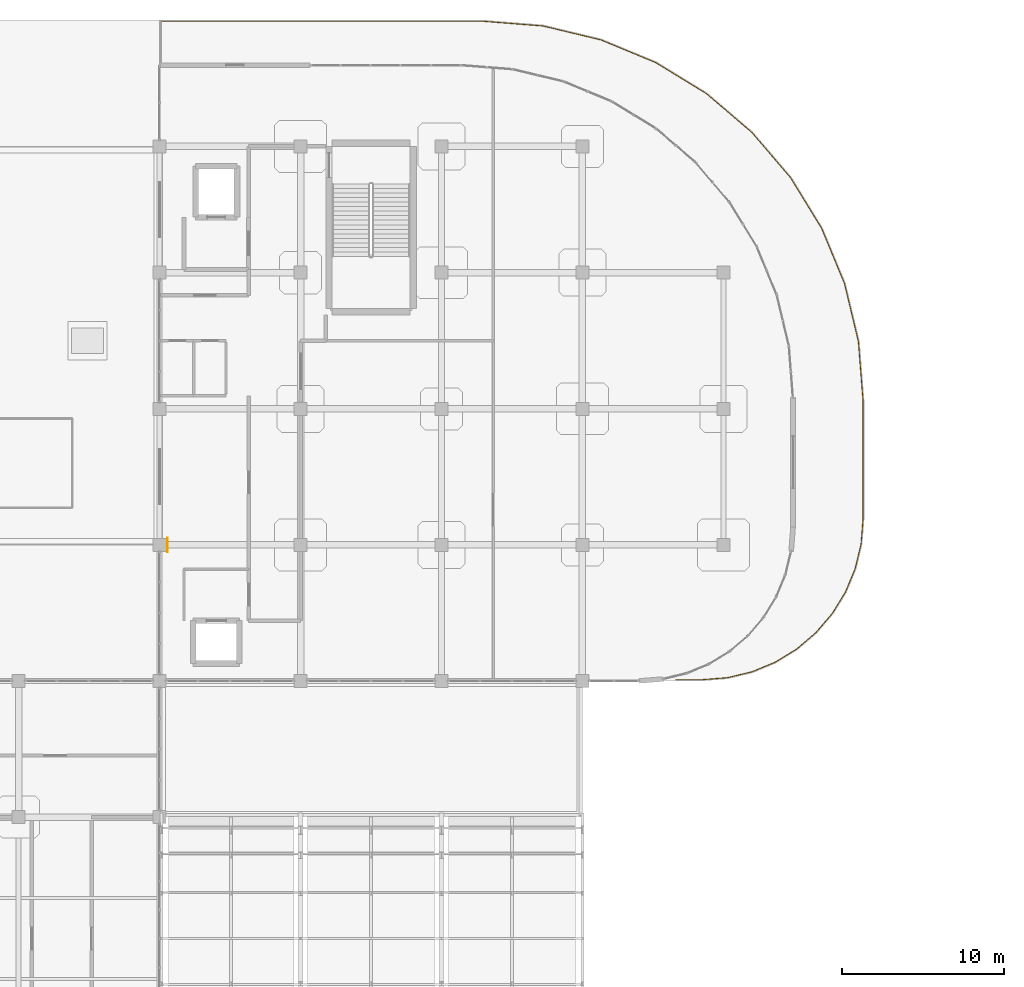
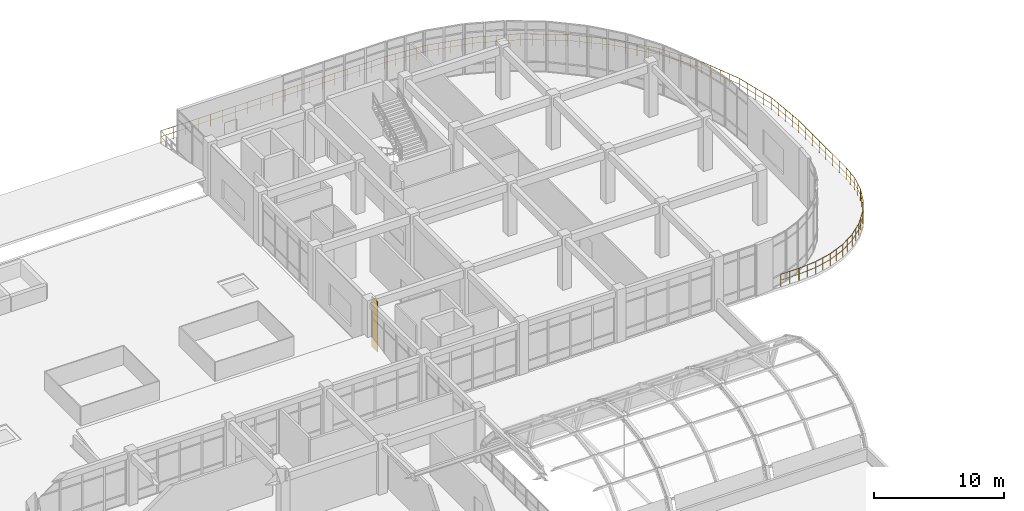
# One storey, part 121 of 124: 1 covering, 1 railing.
"""IFC4 building model written with IfcOpenShell, lengths in metres."""

from ifc_helpers import new_model, si_unit, derived_unit, direction, frame, origin, origin_2d, place, context, subcontext, project, spatial, rectangle, circle, extrude, material, layer, layer_set, type_object, element, save


model = new_model("IFC4")

# Units and contexts
model_context = context("Model", 3, precision=1e-05, world=origin(), true_north=direction((0.0, 1.0)))
body_context = subcontext(model_context, "Body", "Model", "MODEL_VIEW")
ifc_project = project(units=[si_unit("LENGTHUNIT", "METRE"), si_unit("AREAUNIT", "SQUARE_METRE"), si_unit("VOLUMEUNIT", "CUBIC_METRE"), si_unit("PLANEANGLEUNIT", "RADIAN"), si_unit("MASSUNIT", "GRAM", prefix="KILO"), derived_unit("THERMALTRANSMITTANCEUNIT", [(si_unit("MASSUNIT", "GRAM", prefix="KILO"), 1), (si_unit("TIMEUNIT", "SECOND"), -3), (si_unit("THERMODYNAMICTEMPERATUREUNIT", "KELVIN"), -1)])], contexts=[model_context])

# Site, building, storey
site_placement = place(None, origin())
site = spatial("IfcSite", under=ifc_project, at=site_placement, CompositionType="ELEMENT")
building_placement = place(site_placement, origin())
building = spatial("IfcBuilding", under=site, at=building_placement, Name="Qinzheling Arcade Emporium", CompositionType="ELEMENT")
storey_placement = place(building_placement, frame((0.0, 0.0, 16.5)))
storey = spatial("IfcBuildingStorey", under=building, at=storey_placement, Name="L04", CompositionType="ELEMENT", Elevation=16.5)

# Railing
ifc_material_1 = material(Name="Architectural bronze rail and laminated safety glass", Category="glass")
railing_type = type_object("IfcRailingType", Name="Curved Terrace Laminated Glass and Bronze Balustrade 1150", PredefinedType="BALUSTRADE", material=ifc_material_1)
railing_placement = place(storey_placement, frame((104.47998046875, 114.52001953125, 0.0)))
element("IfcRailing", 1, at=railing_placement, inside=storey, type_object=railing_type, Name="Terrace Balustrade RLG-TER-L04-006", PredefinedType="BALUSTRADE", context=body_context, shape_type="SweptSolid", body=[
    extrude(circle(Radius=0.02392578125, at=origin_2d()), frame((0.0, 0.0, 1.1259765625), z_axis=(1.0, 0.0, 0.0), x_axis=(0.0, 1.0, 0.0)), (0.0, 0.0, 1.0), 19.9169921875),
    extrude(circle(Radius=0.01611328125, at=origin_2d()), frame((0.0, 0.0, 0.574951171875), z_axis=(1.0, 0.0, 0.0), x_axis=(0.0, 1.0, 0.0)), (0.0, 0.0, 1.0), 19.9169921875),
    extrude(circle(Radius=0.02392578125, at=origin_2d()), frame((19.9169921875, 0.0, 1.1259765625), z_axis=(0.996926595249, -0.078341328076, 0.0), x_axis=(0.078341328076, 0.996926595249, 0.0)), (0.0, 0.0, 1.0), 3.67724609375),
    extrude(circle(Radius=0.01611328125, at=origin_2d()), frame((19.9169921875, 0.0, 0.574951171875), z_axis=(0.996926595249, -0.078341328076, 0.0), x_axis=(0.078341328076, 0.996926595249, 0.0)), (0.0, 0.0, 1.0), 3.67724609375),
    extrude(circle(Radius=0.02392578125, at=origin_2d()), frame((23.5830078125, -0.2880859375, 1.1259765625), z_axis=(0.972377654126, -0.233413148207, 0.0), x_axis=(0.233413148207, 0.972377654126, 0.0)), (0.0, 0.0, 1.0), 3.675537109375),
    extrude(circle(Radius=0.01611328125, at=origin_2d()), frame((23.5830078125, -0.2880859375, 0.574951171875), z_axis=(0.972377654126, -0.233413148207, 0.0), x_axis=(0.233413148207, 0.972377654126, 0.0)), (0.0, 0.0, 1.0), 3.675537109375),
    extrude(circle(Radius=0.02392578125, at=origin_2d()), frame((27.156982421875, -1.14599609375, 1.1259765625), z_axis=(0.923849253589, -0.382756523971, 0.0), x_axis=(0.382756523971, 0.923849253589, 0.0)), (0.0, 0.0, 1.0), 3.676025390625),
    extrude(circle(Radius=0.01611328125, at=origin_2d()), frame((27.156982421875, -1.14599609375, 0.574951171875), z_axis=(0.923849253589, -0.382756523971, 0.0), x_axis=(0.382756523971, 0.923849253589, 0.0)), (0.0, 0.0, 1.0), 3.676025390625),
    extrude(circle(Radius=0.02392578125, at=origin_2d()), frame((30.552978515625, -2.552978515625, 1.1259765625), z_axis=(0.852642310757, -0.522495062089, 0.0), x_axis=(0.522495062089, 0.852642310757, 0.0)), (0.0, 0.0, 1.0), 3.674560546875),
    extrude(circle(Radius=0.01611328125, at=origin_2d()), frame((30.552978515625, -2.552978515625, 0.574951171875), z_axis=(0.852642310757, -0.522495062089, 0.0), x_axis=(0.522495062089, 0.852642310757, 0.0)), (0.0, 0.0, 1.0), 3.674560546875),
    extrude(circle(Radius=0.02392578125, at=origin_2d()), frame((33.68603515625, -4.472900390625, 1.1259765625), z_axis=(0.76027797739, -0.649597873377, 0.0), x_axis=(0.649597873377, 0.76027797739, 0.0)), (0.0, 0.0, 1.0), 3.6748046875),
    extrude(circle(Radius=0.01611328125, at=origin_2d()), frame((33.68603515625, -4.472900390625, 0.574951171875), z_axis=(0.76027797739, -0.649597873377, 0.0), x_axis=(0.649597873377, 0.76027797739, 0.0)), (0.0, 0.0, 1.0), 3.6748046875),
    extrude(circle(Radius=0.02392578125, at=origin_2d()), frame((36.47998046875, -6.860107421875, 1.1259765625), z_axis=(0.649559470169, -0.760310788239, 0.0), x_axis=(0.760310788239, 0.649559470169, 0.0)), (0.0, 0.0, 1.0), 3.6748046875),
    extrude(circle(Radius=0.01611328125, at=origin_2d()), frame((36.47998046875, -6.860107421875, 0.574951171875), z_axis=(0.649559470169, -0.760310788239, 0.0), x_axis=(0.760310788239, 0.649559470169, 0.0)), (0.0, 0.0, 1.0), 3.6748046875),
    extrude(circle(Radius=0.02392578125, at=origin_2d()), frame((38.866943359375, -9.654052734375, 1.1259765625), z_axis=(0.522543362389, -0.852612710686, 0.0), x_axis=(0.852612710686, 0.522543362389, 0.0)), (0.0, 0.0, 1.0), 3.674560546875),
    extrude(circle(Radius=0.01611328125, at=origin_2d()), frame((38.866943359375, -9.654052734375, 0.574951171875), z_axis=(0.522543362389, -0.852612710686, 0.0), x_axis=(0.852612710686, 0.522543362389, 0.0)), (0.0, 0.0, 1.0), 3.674560546875),
    extrude(circle(Radius=0.02392578125, at=origin_2d()), frame((40.787109375, -12.787109375, 1.1259765625), z_axis=(0.382756523971, -0.923849253589, 0.0), x_axis=(0.923849253589, 0.382756523971, 0.0)), (0.0, 0.0, 1.0), 3.676025390625),
    extrude(circle(Radius=0.01611328125, at=origin_2d()), frame((40.787109375, -12.787109375, 0.574951171875), z_axis=(0.382756523971, -0.923849253589, 0.0), x_axis=(0.923849253589, 0.382756523971, 0.0)), (0.0, 0.0, 1.0), 3.676025390625),
    extrude(circle(Radius=0.02392578125, at=origin_2d()), frame((42.194091796875, -16.18310546875, 1.1259765625), z_axis=(0.233413148207, -0.972377654126, 0.0), x_axis=(0.972377654126, 0.233413148207, 0.0)), (0.0, 0.0, 1.0), 3.675537109375),
    extrude(circle(Radius=0.01611328125, at=origin_2d()), frame((42.194091796875, -16.18310546875, 0.574951171875), z_axis=(0.233413148207, -0.972377654126, 0.0), x_axis=(0.972377654126, 0.233413148207, 0.0)), (0.0, 0.0, 1.0), 3.675537109375),
    extrude(circle(Radius=0.02392578125, at=origin_2d()), frame((43.052001953125, -19.757080078125, 1.1259765625), z_axis=(0.078341328076, -0.996926595249, 0.0), x_axis=(0.996926595249, 0.078341328076, 0.0)), (0.0, 0.0, 1.0), 3.67724609375),
    extrude(circle(Radius=0.01611328125, at=origin_2d()), frame((43.052001953125, -19.757080078125, 0.574951171875), z_axis=(0.078341328076, -0.996926595249, 0.0), x_axis=(0.996926595249, 0.078341328076, 0.0)), (0.0, 0.0, 1.0), 3.67724609375),
    extrude(circle(Radius=0.02392578125, at=origin_2d()), frame((43.340087890625, -23.423095703125, 1.1259765625), z_axis=(0.0, -1.0, 0.0), x_axis=(1.0, 0.0, 0.0)), (0.0, 0.0, 1.0), 7.2939453125),
    extrude(circle(Radius=0.01611328125, at=origin_2d()), frame((43.340087890625, -23.423095703125, 0.574951171875), z_axis=(0.0, -1.0, 0.0), x_axis=(1.0, 0.0, 0.0)), (0.0, 0.0, 1.0), 7.2939453125),
    extrude(circle(Radius=0.02392578125, at=origin_2d()), frame((43.340087890625, -30.717041015625, 1.1259765625), z_axis=(-0.078313338129, -0.996928794384, 0.0), x_axis=(0.996928794384, -0.078313338129, 0.0)), (0.0, 0.0, 1.0), 1.558837890625),
    extrude(circle(Radius=0.01611328125, at=origin_2d()), frame((43.340087890625, -30.717041015625, 0.574951171875), z_axis=(-0.078313338129, -0.996928794384, 0.0), x_axis=(0.996928794384, -0.078313338129, 0.0)), (0.0, 0.0, 1.0), 1.558837890625),
    extrude(circle(Radius=0.02392578125, at=origin_2d()), frame((43.218017578125, -32.27099609375, 1.1259765625), z_axis=(-0.23318908397, -0.972431412037, 0.0), x_axis=(0.972431412037, -0.23318908397, 0.0)), (0.0, 0.0, 1.0), 1.556884765625),
    extrude(circle(Radius=0.01611328125, at=origin_2d()), frame((43.218017578125, -32.27099609375, 0.574951171875), z_axis=(-0.23318908397, -0.972431412037, 0.0), x_axis=(0.972431412037, -0.23318908397, 0.0)), (0.0, 0.0, 1.0), 1.556884765625),
    extrude(circle(Radius=0.02392578125, at=origin_2d()), frame((42.85498046875, -33.784912109375, 1.1259765625), z_axis=(-0.382577886157, -0.923923244119, 0.0), x_axis=(0.923923244119, -0.382577886157, 0.0)), (0.0, 0.0, 1.0), 1.5576171875),
    extrude(circle(Radius=0.01611328125, at=origin_2d()), frame((42.85498046875, -33.784912109375, 0.574951171875), z_axis=(-0.382577886157, -0.923923244119, 0.0), x_axis=(0.923923244119, -0.382577886157, 0.0)), (0.0, 0.0, 1.0), 1.5576171875),
    extrude(circle(Radius=0.02392578125, at=origin_2d()), frame((42.259033203125, -35.22412109375, 1.1259765625), z_axis=(-0.522889333309, -0.852400577845, 0.0), x_axis=(0.852400577845, -0.522889333309, 0.0)), (0.0, 0.0, 1.0), 1.556640625),
    extrude(circle(Radius=0.01611328125, at=origin_2d()), frame((42.259033203125, -35.22412109375, 0.574951171875), z_axis=(-0.522889333309, -0.852400577845, 0.0), x_axis=(0.852400577845, -0.522889333309, 0.0)), (0.0, 0.0, 1.0), 1.556640625),
    extrude(circle(Radius=0.02392578125, at=origin_2d()), frame((41.445068359375, -36.551025390625, 1.1259765625), z_axis=(-0.649640787793, -0.760241308294, 0.0), x_axis=(0.760241308294, -0.649640787793, 0.0)), (0.0, 0.0, 1.0), 1.55615234375),
    extrude(circle(Radius=0.01611328125, at=origin_2d()), frame((41.445068359375, -36.551025390625, 0.574951171875), z_axis=(-0.649640787793, -0.760241308294, 0.0), x_axis=(0.760241308294, -0.649640787793, 0.0)), (0.0, 0.0, 1.0), 1.55615234375),
    extrude(circle(Radius=0.02392578125, at=origin_2d()), frame((40.43408203125, -37.734130859375, 1.1259765625), z_axis=(-0.760241308294, -0.649640787793, 0.0), x_axis=(0.649640787793, -0.760241308294, 0.0)), (0.0, 0.0, 1.0), 1.55615234375),
    extrude(circle(Radius=0.01611328125, at=origin_2d()), frame((40.43408203125, -37.734130859375, 0.574951171875), z_axis=(-0.760241308294, -0.649640787793, 0.0), x_axis=(0.649640787793, -0.760241308294, 0.0)), (0.0, 0.0, 1.0), 1.55615234375),
    extrude(circle(Radius=0.02392578125, at=origin_2d()), frame((39.2509765625, -38.7451171875, 1.1259765625), z_axis=(-0.852400577845, -0.522889333309, 0.0), x_axis=(0.522889333309, -0.852400577845, 0.0)), (0.0, 0.0, 1.0), 1.556640625),
    extrude(circle(Radius=0.01611328125, at=origin_2d()), frame((39.2509765625, -38.7451171875, 0.574951171875), z_axis=(-0.852400577845, -0.522889333309, 0.0), x_axis=(0.522889333309, -0.852400577845, 0.0)), (0.0, 0.0, 1.0), 1.556640625),
    extrude(circle(Radius=0.02392578125, at=origin_2d()), frame((37.924072265625, -39.55908203125, 1.1259765625), z_axis=(-0.92390029922, -0.382633293247, 0.0), x_axis=(0.382633293247, -0.92390029922, 0.0)), (0.0, 0.0, 1.0), 1.557373046875),
    extrude(circle(Radius=0.01611328125, at=origin_2d()), frame((37.924072265625, -39.55908203125, 0.574951171875), z_axis=(-0.92390029922, -0.382633293247, 0.0), x_axis=(0.382633293247, -0.92390029922, 0.0)), (0.0, 0.0, 1.0), 1.557373046875),
    extrude(circle(Radius=0.02392578125, at=origin_2d()), frame((36.485107421875, -40.155029296875, 1.1259765625), z_axis=(-0.972439937429, -0.233153529016, 0.0), x_axis=(0.233153529016, -0.972439937429, 0.0)), (0.0, 0.0, 1.0), 1.55712890625),
    extrude(circle(Radius=0.01611328125, at=origin_2d()), frame((36.485107421875, -40.155029296875, 0.574951171875), z_axis=(-0.972439937429, -0.233153529016, 0.0), x_axis=(0.233153529016, -0.972439937429, 0.0)), (0.0, 0.0, 1.0), 1.55712890625),
    extrude(circle(Radius=0.02392578125, at=origin_2d()), frame((34.970947265625, -40.51806640625, 1.1259765625), z_axis=(-0.996928794384, -0.078313338129, 0.0), x_axis=(0.078313338129, -0.996928794384, 0.0)), (0.0, 0.0, 1.0), 1.558837890625),
    extrude(circle(Radius=0.01611328125, at=origin_2d()), frame((34.970947265625, -40.51806640625, 0.574951171875), z_axis=(-0.996928794384, -0.078313338129, 0.0), x_axis=(0.078313338129, -0.996928794384, 0.0)), (0.0, 0.0, 1.0), 1.558837890625),
    extrude(circle(Radius=0.02392578125, at=origin_2d()), frame((33.4169921875, -40.64013671875, 1.1259765625), z_axis=(-1.0, 0.0, 0.0), x_axis=(0.0, -1.0, 0.0)), (0.0, 0.0, 1.0), 1.6220703125),
    extrude(circle(Radius=0.01611328125, at=origin_2d()), frame((33.4169921875, -40.64013671875, 0.574951171875), z_axis=(-1.0, 0.0, 0.0), x_axis=(0.0, -1.0, 0.0)), (0.0, 0.0, 1.0), 1.6220703125),
    extrude(circle(Radius=0.02099609375, at=origin_2d()), origin(), (0.0, 0.0, 1.0), 1.101806640625),
    extrude(circle(Radius=0.02099609375, at=origin_2d()), frame((1.1064453125, 0.0, 0.0)), (0.0, 0.0, 1.0), 1.101806640625),
    extrude(circle(Radius=0.02099609375, at=origin_2d()), frame((2.212890625, 0.0, 0.0)), (0.0, 0.0, 1.0), 1.101806640625),
    extrude(circle(Radius=0.02099609375, at=origin_2d()), frame((3.319580078125, 0.0, 0.0)), (0.0, 0.0, 1.0), 1.101806640625),
    extrude(circle(Radius=0.02099609375, at=origin_2d()), frame((4.426025390625, 0.0, 0.0)), (0.0, 0.0, 1.0), 1.101806640625),
    extrude(circle(Radius=0.02099609375, at=origin_2d()), frame((5.532470703125, 0.0, 0.0)), (0.0, 0.0, 1.0), 1.101806640625),
    extrude(circle(Radius=0.02099609375, at=origin_2d()), frame((6.638916015625, 0.0, 0.0)), (0.0, 0.0, 1.0), 1.101806640625),
    extrude(circle(Radius=0.02099609375, at=origin_2d()), frame((7.74560546875, 0.0, 0.0)), (0.0, 0.0, 1.0), 1.101806640625),
    extrude(circle(Radius=0.02099609375, at=origin_2d()), frame((8.85205078125, 0.0, 0.0)), (0.0, 0.0, 1.0), 1.101806640625),
    extrude(circle(Radius=0.02099609375, at=origin_2d()), frame((9.95849609375, 0.0, 0.0)), (0.0, 0.0, 1.0), 1.101806640625),
    extrude(circle(Radius=0.02099609375, at=origin_2d()), frame((11.06494140625, 0.0, 0.0)), (0.0, 0.0, 1.0), 1.101806640625),
    extrude(circle(Radius=0.02099609375, at=origin_2d()), frame((12.17138671875, 0.0, 0.0)), (0.0, 0.0, 1.0), 1.101806640625),
    extrude(circle(Radius=0.02099609375, at=origin_2d()), frame((13.278076171875, 0.0, 0.0)), (0.0, 0.0, 1.0), 1.101806640625),
    extrude(circle(Radius=0.02099609375, at=origin_2d()), frame((14.384521484375, 0.0, 0.0)), (0.0, 0.0, 1.0), 1.101806640625),
    extrude(circle(Radius=0.02099609375, at=origin_2d()), frame((15.490966796875, 0.0, 0.0)), (0.0, 0.0, 1.0), 1.101806640625),
    extrude(circle(Radius=0.02099609375, at=origin_2d()), frame((16.597412109375, 0.0, 0.0)), (0.0, 0.0, 1.0), 1.101806640625),
    extrude(circle(Radius=0.02099609375, at=origin_2d()), frame((17.7041015625, 0.0, 0.0)), (0.0, 0.0, 1.0), 1.101806640625),
    extrude(circle(Radius=0.02099609375, at=origin_2d()), frame((18.810546875, 0.0, 0.0)), (0.0, 0.0, 1.0), 1.101806640625),
    extrude(circle(Radius=0.02099609375, at=origin_2d()), frame((19.9169921875, 0.0, 0.0)), (0.0, 0.0, 1.0), 1.101806640625),
    extrude(circle(Radius=0.02099609375, at=origin_2d()), frame((20.83349609375, -0.072021484375, 0.0)), (0.0, 0.0, 1.0), 1.101806640625),
    extrude(circle(Radius=0.02099609375, at=origin_2d()), frame((21.75, -0.14404296875, 0.0)), (0.0, 0.0, 1.0), 1.101806640625),
    extrude(circle(Radius=0.02099609375, at=origin_2d()), frame((22.66650390625, -0.216064453125, 0.0)), (0.0, 0.0, 1.0), 1.101806640625),
    extrude(circle(Radius=0.02099609375, at=origin_2d()), frame((23.5830078125, -0.2880859375, 0.0)), (0.0, 0.0, 1.0), 1.101806640625),
    extrude(circle(Radius=0.02099609375, at=origin_2d()), frame((24.4765625, -0.50244140625, 0.0)), (0.0, 0.0, 1.0), 1.101806640625),
    extrude(circle(Radius=0.02099609375, at=origin_2d()), frame((25.3701171875, -0.717041015625, 0.0)), (0.0, 0.0, 1.0), 1.101806640625),
    extrude(circle(Radius=0.02099609375, at=origin_2d()), frame((26.263427734375, -0.931640625, 0.0)), (0.0, 0.0, 1.0), 1.101806640625),
    extrude(circle(Radius=0.02099609375, at=origin_2d()), frame((27.156982421875, -1.14599609375, 0.0)), (0.0, 0.0, 1.0), 1.101806640625),
    extrude(circle(Radius=0.02099609375, at=origin_2d()), frame((28.005859375, -1.497802734375, 0.0)), (0.0, 0.0, 1.0), 1.101806640625),
    extrude(circle(Radius=0.02099609375, at=origin_2d()), frame((28.85498046875, -1.849609375, 0.0)), (0.0, 0.0, 1.0), 1.101806640625),
    extrude(circle(Radius=0.02099609375, at=origin_2d()), frame((29.7041015625, -2.201171875, 0.0)), (0.0, 0.0, 1.0), 1.101806640625),
    extrude(circle(Radius=0.02099609375, at=origin_2d()), frame((30.552978515625, -2.552978515625, 0.0)), (0.0, 0.0, 1.0), 1.101806640625),
    extrude(circle(Radius=0.02099609375, at=origin_2d()), frame((31.336181640625, -3.032958984375, 0.0)), (0.0, 0.0, 1.0), 1.101806640625),
    extrude(circle(Radius=0.02099609375, at=origin_2d()), frame((32.11962890625, -3.512939453125, 0.0)), (0.0, 0.0, 1.0), 1.101806640625),
    extrude(circle(Radius=0.02099609375, at=origin_2d()), frame((32.90283203125, -3.992919921875, 0.0)), (0.0, 0.0, 1.0), 1.101806640625),
    extrude(circle(Radius=0.02099609375, at=origin_2d()), frame((33.68603515625, -4.472900390625, 0.0)), (0.0, 0.0, 1.0), 1.101806640625),
    extrude(circle(Radius=0.02099609375, at=origin_2d()), frame((34.384521484375, -5.06982421875, 0.0)), (0.0, 0.0, 1.0), 1.101806640625),
    extrude(circle(Radius=0.02099609375, at=origin_2d()), frame((35.0830078125, -5.66650390625, 0.0)), (0.0, 0.0, 1.0), 1.101806640625),
    extrude(circle(Radius=0.02099609375, at=origin_2d()), frame((35.781494140625, -6.26318359375, 0.0)), (0.0, 0.0, 1.0), 1.101806640625),
    extrude(circle(Radius=0.02099609375, at=origin_2d()), frame((36.47998046875, -6.860107421875, 0.0)), (0.0, 0.0, 1.0), 1.101806640625),
    extrude(circle(Radius=0.02099609375, at=origin_2d()), frame((37.07666015625, -7.55859375, 0.0)), (0.0, 0.0, 1.0), 1.101806640625),
    extrude(circle(Radius=0.02099609375, at=origin_2d()), frame((37.67333984375, -8.257080078125, 0.0)), (0.0, 0.0, 1.0), 1.101806640625),
    extrude(circle(Radius=0.02099609375, at=origin_2d()), frame((38.270263671875, -8.95556640625, 0.0)), (0.0, 0.0, 1.0), 1.101806640625),
    extrude(circle(Radius=0.02099609375, at=origin_2d()), frame((38.866943359375, -9.654052734375, 0.0)), (0.0, 0.0, 1.0), 1.101806640625),
    extrude(circle(Radius=0.02099609375, at=origin_2d()), frame((39.346923828125, -10.437255859375, 0.0)), (0.0, 0.0, 1.0), 1.101806640625),
    extrude(circle(Radius=0.02099609375, at=origin_2d()), frame((39.8271484375, -11.220703125, 0.0)), (0.0, 0.0, 1.0), 1.101806640625),
    extrude(circle(Radius=0.02099609375, at=origin_2d()), frame((40.30712890625, -12.00390625, 0.0)), (0.0, 0.0, 1.0), 1.101806640625),
    extrude(circle(Radius=0.02099609375, at=origin_2d()), frame((40.787109375, -12.787109375, 0.0)), (0.0, 0.0, 1.0), 1.101806640625),
    extrude(circle(Radius=0.02099609375, at=origin_2d()), frame((41.138916015625, -13.63623046875, 0.0)), (0.0, 0.0, 1.0), 1.101806640625),
    extrude(circle(Radius=0.02099609375, at=origin_2d()), frame((41.49072265625, -14.485107421875, 0.0)), (0.0, 0.0, 1.0), 1.101806640625),
    extrude(circle(Radius=0.02099609375, at=origin_2d()), frame((41.84228515625, -15.333984375, 0.0)), (0.0, 0.0, 1.0), 1.101806640625),
    extrude(circle(Radius=0.02099609375, at=origin_2d()), frame((42.194091796875, -16.18310546875, 0.0)), (0.0, 0.0, 1.0), 1.101806640625),
    extrude(circle(Radius=0.02099609375, at=origin_2d()), frame((42.40869140625, -17.07666015625, 0.0)), (0.0, 0.0, 1.0), 1.101806640625),
    extrude(circle(Radius=0.02099609375, at=origin_2d()), frame((42.623046875, -17.97021484375, 0.0)), (0.0, 0.0, 1.0), 1.101806640625),
    extrude(circle(Radius=0.02099609375, at=origin_2d()), frame((42.83740234375, -18.863525390625, 0.0)), (0.0, 0.0, 1.0), 1.101806640625),
    extrude(circle(Radius=0.02099609375, at=origin_2d()), frame((43.052001953125, -19.757080078125, 0.0)), (0.0, 0.0, 1.0), 1.101806640625),
    extrude(circle(Radius=0.02099609375, at=origin_2d()), frame((43.1240234375, -20.673583984375, 0.0)), (0.0, 0.0, 1.0), 1.101806640625),
    extrude(circle(Radius=0.02099609375, at=origin_2d()), frame((43.196044921875, -21.590087890625, 0.0)), (0.0, 0.0, 1.0), 1.101806640625),
    extrude(circle(Radius=0.02099609375, at=origin_2d()), frame((43.26806640625, -22.506591796875, 0.0)), (0.0, 0.0, 1.0), 1.101806640625),
    extrude(circle(Radius=0.02099609375, at=origin_2d()), frame((43.340087890625, -23.423095703125, 0.0)), (0.0, 0.0, 1.0), 1.101806640625),
    extrude(circle(Radius=0.02099609375, at=origin_2d()), frame((43.340087890625, -24.465087890625, 0.0)), (0.0, 0.0, 1.0), 1.101806640625),
    extrude(circle(Radius=0.02099609375, at=origin_2d()), frame((43.340087890625, -25.507080078125, 0.0)), (0.0, 0.0, 1.0), 1.101806640625),
    extrude(circle(Radius=0.02099609375, at=origin_2d()), frame((43.340087890625, -26.549072265625, 0.0)), (0.0, 0.0, 1.0), 1.101806640625),
    extrude(circle(Radius=0.02099609375, at=origin_2d()), frame((43.340087890625, -27.591064453125, 0.0)), (0.0, 0.0, 1.0), 1.101806640625),
    extrude(circle(Radius=0.02099609375, at=origin_2d()), frame((43.340087890625, -28.633056640625, 0.0)), (0.0, 0.0, 1.0), 1.101806640625),
    extrude(circle(Radius=0.02099609375, at=origin_2d()), frame((43.340087890625, -29.675048828125, 0.0)), (0.0, 0.0, 1.0), 1.101806640625),
    extrude(circle(Radius=0.02099609375, at=origin_2d()), frame((43.340087890625, -30.717041015625, 0.0)), (0.0, 0.0, 1.0), 1.101806640625),
    extrude(circle(Radius=0.02099609375, at=origin_2d()), frame((43.279052734375, -31.494140625, 0.0)), (0.0, 0.0, 1.0), 1.101806640625),
    extrude(circle(Radius=0.02099609375, at=origin_2d()), frame((43.218017578125, -32.27099609375, 0.0)), (0.0, 0.0, 1.0), 1.101806640625),
    extrude(circle(Radius=0.02099609375, at=origin_2d()), frame((43.03662109375, -33.02783203125, 0.0)), (0.0, 0.0, 1.0), 1.101806640625),
    extrude(circle(Radius=0.02099609375, at=origin_2d()), frame((42.85498046875, -33.784912109375, 0.0)), (0.0, 0.0, 1.0), 1.101806640625),
    extrude(circle(Radius=0.02099609375, at=origin_2d()), frame((42.55712890625, -34.50439453125, 0.0)), (0.0, 0.0, 1.0), 1.101806640625),
    extrude(circle(Radius=0.02099609375, at=origin_2d()), frame((42.259033203125, -35.22412109375, 0.0)), (0.0, 0.0, 1.0), 1.101806640625),
    extrude(circle(Radius=0.02099609375, at=origin_2d()), frame((41.85205078125, -35.8876953125, 0.0)), (0.0, 0.0, 1.0), 1.101806640625),
    extrude(circle(Radius=0.02099609375, at=origin_2d()), frame((41.445068359375, -36.551025390625, 0.0)), (0.0, 0.0, 1.0), 1.101806640625),
    extrude(circle(Radius=0.02099609375, at=origin_2d()), frame((40.939453125, -37.142578125, 0.0)), (0.0, 0.0, 1.0), 1.101806640625),
    extrude(circle(Radius=0.02099609375, at=origin_2d()), frame((40.43408203125, -37.734130859375, 0.0)), (0.0, 0.0, 1.0), 1.101806640625),
    extrude(circle(Radius=0.02099609375, at=origin_2d()), frame((39.842529296875, -38.23974609375, 0.0)), (0.0, 0.0, 1.0), 1.101806640625),
    extrude(circle(Radius=0.02099609375, at=origin_2d()), frame((39.2509765625, -38.7451171875, 0.0)), (0.0, 0.0, 1.0), 1.101806640625),
    extrude(circle(Radius=0.02099609375, at=origin_2d()), frame((38.58740234375, -39.152099609375, 0.0)), (0.0, 0.0, 1.0), 1.101806640625),
    extrude(circle(Radius=0.02099609375, at=origin_2d()), frame((37.924072265625, -39.55908203125, 0.0)), (0.0, 0.0, 1.0), 1.101806640625),
    extrude(circle(Radius=0.02099609375, at=origin_2d()), frame((37.20458984375, -39.85693359375, 0.0)), (0.0, 0.0, 1.0), 1.101806640625),
    extrude(circle(Radius=0.02099609375, at=origin_2d()), frame((36.485107421875, -40.155029296875, 0.0)), (0.0, 0.0, 1.0), 1.101806640625),
    extrude(circle(Radius=0.02099609375, at=origin_2d()), frame((35.72802734375, -40.33642578125, 0.0)), (0.0, 0.0, 1.0), 1.101806640625),
    extrude(circle(Radius=0.02099609375, at=origin_2d()), frame((34.970947265625, -40.51806640625, 0.0)), (0.0, 0.0, 1.0), 1.101806640625),
    extrude(circle(Radius=0.02099609375, at=origin_2d()), frame((34.19384765625, -40.5791015625, 0.0)), (0.0, 0.0, 1.0), 1.101806640625),
    extrude(circle(Radius=0.02099609375, at=origin_2d()), frame((33.4169921875, -40.64013671875, 0.0)), (0.0, 0.0, 1.0), 1.101806640625),
    extrude(circle(Radius=0.02099609375, at=origin_2d()), frame((32.60595703125, -40.64013671875, 0.0)), (0.0, 0.0, 1.0), 1.101806640625),
    extrude(circle(Radius=0.02099609375, at=origin_2d()), frame((31.794921875, -40.64013671875, 0.0)), (0.0, 0.0, 1.0), 1.101806640625),
])

# Covering
ifc_material_2 = material(Name="Glazed cream terracotta rainscreen cladding", Category="masonry")
ifc_layer = layer(ifc_material_2, 0.044921875, Name="Glazed cream terracotta rainscreen cladding", Category="masonry")
ifc_layer_set = layer_set([ifc_layer], Name="Glazed cream terracotta rainscreen cladding")
covering_type = type_object("IfcCoveringType", Name="Glazed Terracotta Pier Cladding Casing 45", PredefinedType="CLADDING", material=ifc_layer_set)
covering_placement = place(storey_placement, frame((104.8798828125, 82.199951171875, 0.0), z_axis=(0.0, 0.0, 1.0), x_axis=(1.0, 0.0, 0.0)))
element("IfcCovering", 2, at=covering_placement, inside=storey, type_object=covering_type, Name="Terracotta Pier Cladding L04 9", PredefinedType="CLADDING", context=body_context, shape_type="SweptSolid", body=[
    extrude(rectangle(XDim=0.044921875, YDim=0.89990234375, at=origin_2d()), origin(), (0.0, 0.0, 1.0), 4.75),
])

save(model, "model.ifc")
